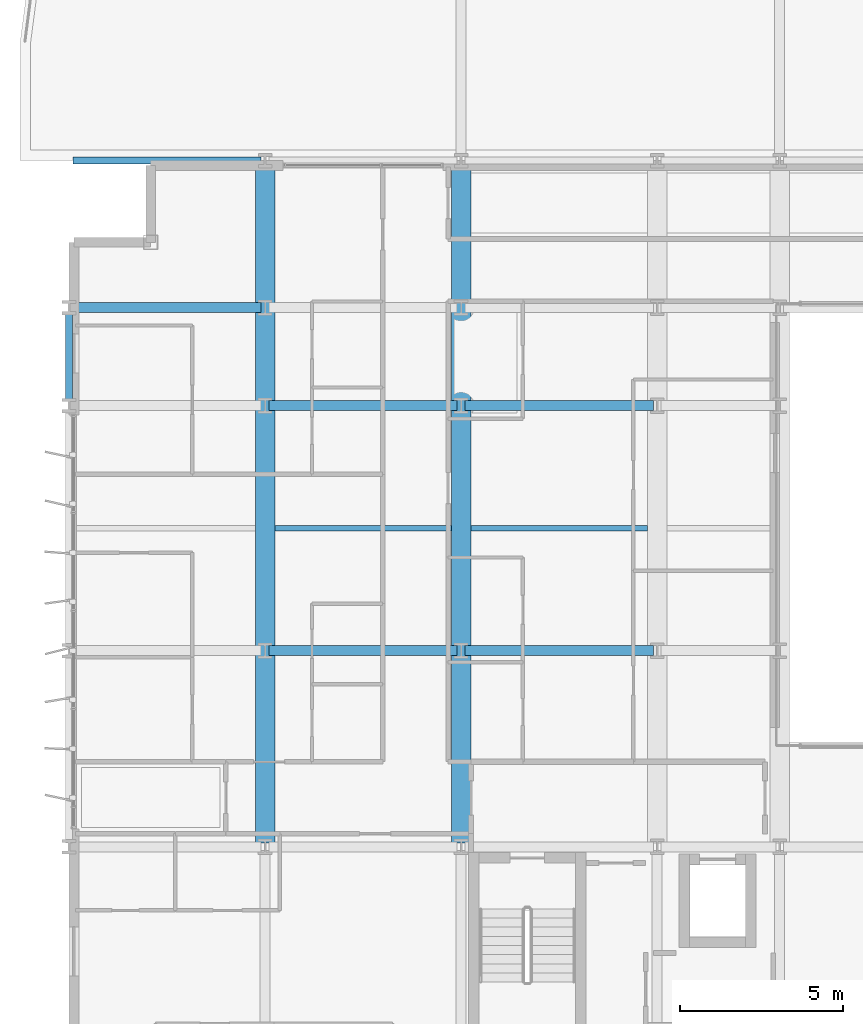
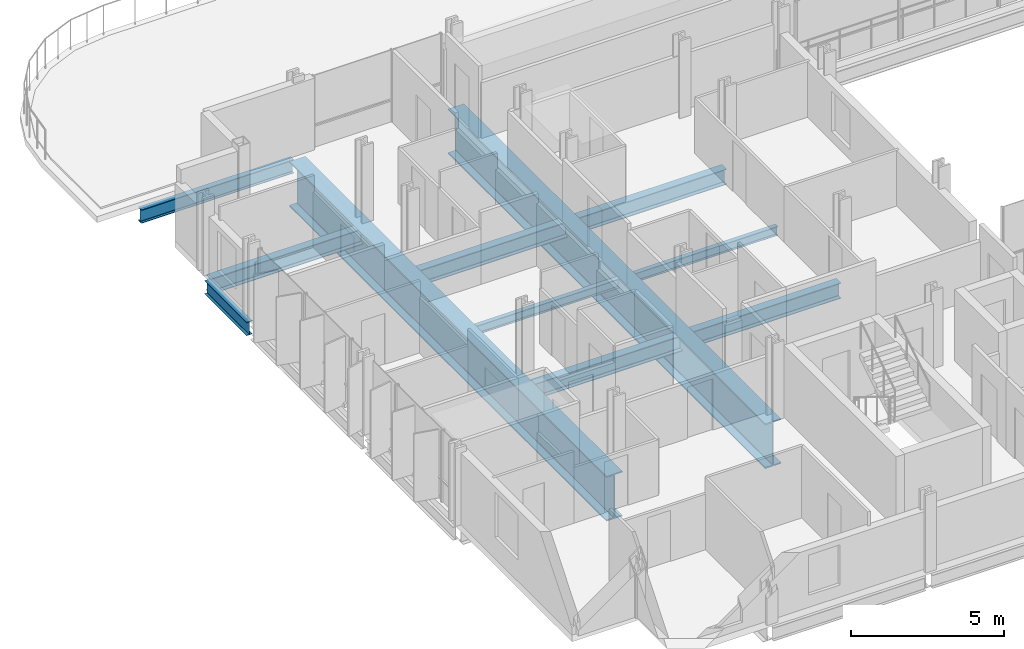
# One storey, part 6 of 38: 11 beams.
"""IFC4 building model written with IfcOpenShell, lengths in metres."""

from ifc_helpers import new_model, si_unit, direction, frame, origin, origin_2d, place, context, subcontext, project, spatial, i_section, extrude, material, material_profile, profile_set, type_object, element, save


model = new_model("IFC4")

# Units and contexts
model_context = context("Model", 3, precision=1e-05, world=origin(), true_north=direction((0.0, 1.0)))
body_context = subcontext(model_context, "Body", "Model", "MODEL_VIEW")
ifc_project = project(units=[si_unit("LENGTHUNIT", "METRE"), si_unit("AREAUNIT", "SQUARE_METRE"), si_unit("VOLUMEUNIT", "CUBIC_METRE"), si_unit("PLANEANGLEUNIT", "RADIAN"), si_unit("MASSUNIT", "GRAM", prefix="KILO")], contexts=[model_context])

# Site, building, storey
site_placement = place(None, origin())
site = spatial("IfcSite", under=ifc_project, at=site_placement, CompositionType="ELEMENT")
building_placement = place(site_placement, origin())
building = spatial("IfcBuilding", under=site, at=building_placement, Name="Brevholm Reach", CompositionType="ELEMENT")
storey_placement = place(building_placement, frame((0.0, 0.0, 28.0)))
storey = spatial("IfcBuildingStorey", under=building, at=storey_placement, Name="L06", CompositionType="ELEMENT", Elevation=28.0)

# Beams
ifc_material_1 = material(Name="Structural Steel S355J2", Category="steel")
ifc_material_profile_1 = material_profile(ifc_material_1, i_section(OverallWidth=0.17138671875, OverallDepth=0.35498046875, WebThickness=0.00732421875, FlangeThickness=0.011474609375, FilletRadius=0.01025390625, at=origin_2d()), Name="UKB 356x171x51")
ifc_profile_set_1 = profile_set([ifc_material_profile_1], Name="Structural Steel S355J2")
beam_type_1 = type_object("IfcBeamType", Name="BM-B356", PredefinedType="BEAM", material=ifc_profile_set_1)
for number, where, z_axis, x_axis, name in (
    (1, (6.300048828125, 19.75, -0.447509765625), (1.0, 0.0, 0.0), (0.0, 1.0, 0.0), "L06 Composite Secondary Floor Beam"),
    (2, (12.300048828125, 19.75, -0.447509765625), (1.0, 0.0, 0.0), (0.0, 1.0, 0.0), "L06 Composite Secondary Floor Beam"),
):
    element("IfcBeam", number, at=place(storey_placement, frame(where, z_axis=z_axis, x_axis=x_axis)), inside=storey, type_object=beam_type_1, Name=name, PredefinedType="BEAM", context=body_context, shape_type="SweptSolid", body=[
        extrude(i_section(OverallWidth=0.17138671875, OverallDepth=0.35498046875, WebThickness=0.00732421875, FlangeThickness=0.011474609375, FilletRadius=0.01025390625, at=origin_2d()), origin(), (0.0, 0.0, 1.0), 5.39990234375),
    ])
ifc_material_2 = material(Name="Structural Steel S460ML", Category="steel")
ifc_material_profile_2 = material_profile(ifc_material_2, i_section(OverallWidth=0.60009765625, OverallDepth=1.800048828125, WebThickness=0.034912109375, FlangeThickness=0.050048828125, FilletRadius=0.02392578125, at=origin_2d()), Name="PG 1800x600x50")
ifc_profile_set_2 = profile_set([ifc_material_profile_2], Name="Structural Steel S460ML")
beam_type_2 = type_object("IfcBeamType", Name="BM-PG1800", PredefinedType="USERDEFINED", material=ifc_profile_set_2)
for number, where, z_axis, x_axis, name in (
    (3, (6.0, 10.1201171875, -1.169921875), (0.0, 1.0, 0.0), (-1.0, 0.0, 0.0), "L06 TG-01 Framing Beam"),
    (4, (12.0, 10.1201171875, -1.169921875), (0.0, 1.0, 0.0), (-1.0, 0.0, 0.0), "L06 TG-01 Framing Beam"),
):
    element("IfcBeam", number, at=place(storey_placement, frame(where, z_axis=z_axis, x_axis=x_axis)), inside=storey, type_object=beam_type_2, Name=name, ObjectType="GIRDER", PredefinedType="USERDEFINED", context=body_context, shape_type="SweptSolid", body=[
        extrude(i_section(OverallWidth=0.60009765625, OverallDepth=1.800048828125, WebThickness=0.034912109375, FlangeThickness=0.050048828125, FilletRadius=0.02392578125, at=origin_2d()), origin(), (0.0, 0.0, 1.0), 20.759765625),
    ])
ifc_material_3 = material(Name="Structural Steel S355J2", Category="steel")
ifc_material_profile_3 = material_profile(ifc_material_3, i_section(OverallWidth=0.210693359375, OverallDepth=0.53955078125, WebThickness=0.01171875, FlangeThickness=0.018798828125, FilletRadius=0.0126953125, at=origin_2d()), Name="UKB 533x210x109")
ifc_profile_set_3 = profile_set([ifc_material_profile_3], Name="Structural Steel S355J2")
beam_type_3 = type_object("IfcBeamType", Name="BM-SP539", PredefinedType="SPANDREL", material=ifc_profile_set_3)
beam_1_placement = place(storey_placement, frame((0.1201171875, 31.0, -0.539794921875), z_axis=(1.0, 0.0, 0.0), x_axis=(0.0, 1.0, 0.0)))
element("IfcBeam", 5, at=beam_1_placement, inside=storey, type_object=beam_type_3, Name="L06 SP-01B Framing Beam", PredefinedType="SPANDREL", context=body_context, shape_type="SweptSolid", body=[
    extrude(i_section(OverallWidth=0.210693359375, OverallDepth=0.53955078125, WebThickness=0.01171875, FlangeThickness=0.018798828125, FilletRadius=0.0126953125, at=origin_2d()), origin(), (0.0, 0.0, 1.0), 5.759765625),
])
beam_2_placement = place(storey_placement, frame((0.0, 23.6201171875, -0.539794921875), z_axis=(0.0, 1.0, 0.0), x_axis=(-1.0, 0.0, 0.0)))
element("IfcBeam", 6, at=beam_2_placement, inside=storey, type_object=beam_type_3, Name="L06 SP-01B Framing Beam", PredefinedType="SPANDREL", context=body_context, shape_type="SweptSolid", body=[
    extrude(i_section(OverallWidth=0.210693359375, OverallDepth=0.53955078125, WebThickness=0.01171875, FlangeThickness=0.018798828125, FilletRadius=0.0126953125, at=origin_2d()), origin(), (0.0, 0.0, 1.0), 2.759765625),
])
ifc_material_4 = material(Name="Structural Steel S355J2", Category="steel")
ifc_material_profile_4 = material_profile(ifc_material_4, i_section(OverallWidth=0.30712890625, OverallDepth=0.6201171875, WebThickness=0.01416015625, FlangeThickness=0.023681640625, FilletRadius=0.0166015625, at=origin_2d()), Name="UKB 610x305x179")
ifc_profile_set_4 = profile_set([ifc_material_profile_4], Name="Structural Steel S355J2")
beam_type_4 = type_object("IfcBeamType", Name="BM-UKB610H", PredefinedType="USERDEFINED", material=ifc_profile_set_4)
for number, where, z_axis, x_axis, name in (
    (7, (6.1201171875, 16.0, -0.580078125), (1.0, 0.0, 0.0), (0.0, 1.0, 0.0), "L06 G-06 Framing Beam"),
    (8, (12.1201171875, 16.0, -0.580078125), (1.0, 0.0, 0.0), (0.0, 1.0, 0.0), "L06 G-06 Framing Beam"),
    (9, (6.1201171875, 23.5, -0.580078125), (1.0, 0.0, 0.0), (0.0, 1.0, 0.0), "L06 G-06 Framing Beam"),
    (10, (12.1201171875, 23.5, -0.580078125), (1.0, 0.0, 0.0), (0.0, 1.0, 0.0), "L06 G-06 Framing Beam"),
    (11, (0.1201171875, 26.5, -0.580078125), (1.0, 0.0, 0.0), (0.0, 1.0, 0.0), "L06 G-06 Framing Beam"),
):
    element("IfcBeam", number, at=place(storey_placement, frame(where, z_axis=z_axis, x_axis=x_axis)), inside=storey, type_object=beam_type_4, Name=name, ObjectType="GIRDER", PredefinedType="USERDEFINED", context=body_context, shape_type="SweptSolid", body=[
        extrude(i_section(OverallWidth=0.30712890625, OverallDepth=0.6201171875, WebThickness=0.01416015625, FlangeThickness=0.023681640625, FilletRadius=0.0166015625, at=origin_2d()), origin(), (0.0, 0.0, 1.0), 5.759765625),
    ])

save(model, "model.ifc")
